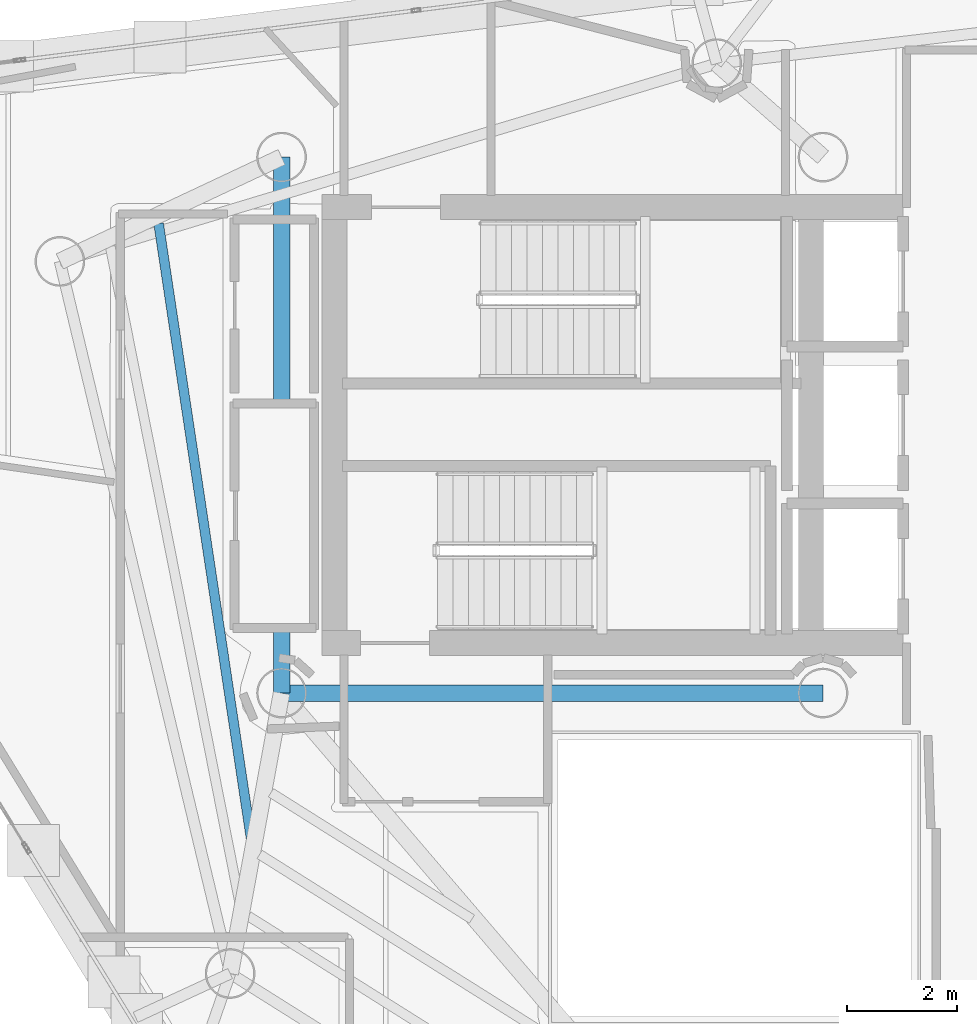
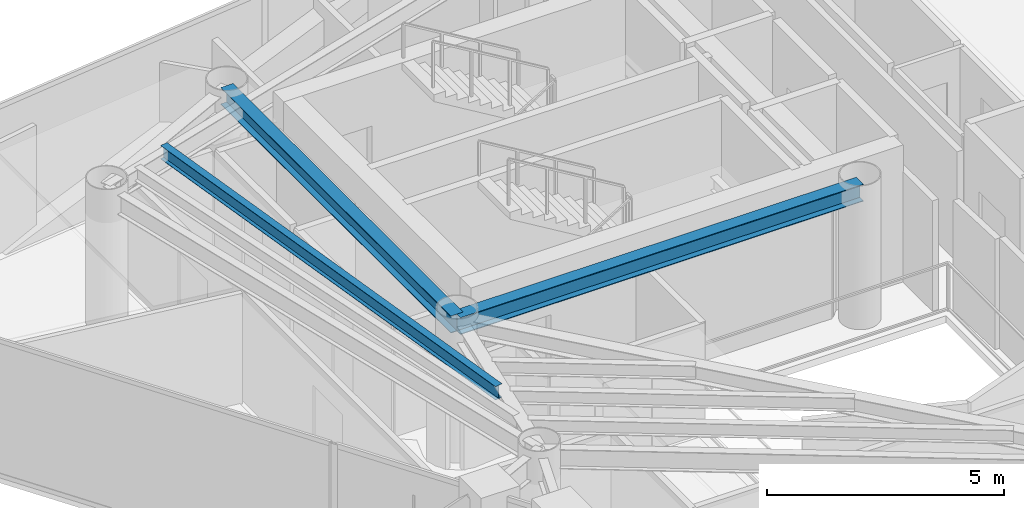
# One storey, part 9 of 23: 3 beams.
"""IFC4 building model written with IfcOpenShell, lengths in metres."""

from ifc_helpers import new_model, si_unit, direction, frame, origin, origin_2d, place, context, subcontext, project, spatial, i_section, extrude, material, material_profile, profile_set, type_object, element, save


model = new_model("IFC4")

# Units and contexts
model_context = context("Model", 3, precision=1e-05, world=origin(), true_north=direction((0.0, 1.0)))
body_context = subcontext(model_context, "Body", "Model", "MODEL_VIEW")
ifc_project = project(units=[si_unit("LENGTHUNIT", "METRE"), si_unit("AREAUNIT", "SQUARE_METRE"), si_unit("VOLUMEUNIT", "CUBIC_METRE"), si_unit("PLANEANGLEUNIT", "RADIAN"), si_unit("MASSUNIT", "GRAM", prefix="KILO")], contexts=[model_context])

# Site, building, storey
site_placement = place(None, origin())
site = spatial("IfcSite", under=ifc_project, at=site_placement, CompositionType="ELEMENT")
building_placement = place(site_placement, origin())
building = spatial("IfcBuilding", under=site, at=building_placement, Name="Qianvela Tower", CompositionType="ELEMENT")
storey_placement = place(building_placement, frame((0.0, 0.0, 284.300048828125)))
storey = spatial("IfcBuildingStorey", under=building, at=storey_placement, Name="L73", CompositionType="ELEMENT", Elevation=284.300048828125)

# Beams
ifc_material_1 = material(Name="Steel Q355B", Category="steel")
ifc_material_profile_1 = material_profile(ifc_material_1, i_section(OverallWidth=0.300048828125, OverallDepth=0.43994140625, WebThickness=0.010986328125, FlangeThickness=0.01806640625, at=origin_2d()), Name="HM440x300x11x18")
ifc_profile_set_1 = profile_set([ifc_material_profile_1], Name="Steel Q355B")
beam_type_1 = type_object("IfcBeamType", Name="BM-HM440-COLL", PredefinedType="BEAM", material=ifc_profile_set_1)
beam_1_placement = place(storey_placement, frame((28.60009765625, 23.85009765625, 3.2978515625), z_axis=(1.0, 0.0, 0.0), x_axis=(0.0, 1.0, 0.0)))
element("IfcBeam", 1, at=beam_1_placement, inside=storey, type_object=beam_type_1, Name="L73 Core Ring Collector Girder CC1", PredefinedType="BEAM", context=body_context, shape_type="SweptSolid", body=[
    extrude(i_section(OverallWidth=0.300048828125, OverallDepth=0.43994140625, WebThickness=0.010986328125, FlangeThickness=0.01806640625, at=origin_2d()), origin(), (0.0, 0.0, 1.0), 9.7998046875),
])
beam_2_placement = place(storey_placement, frame((28.60009765625, 33.550048828125, 3.2978515625), z_axis=(0.0, -1.0, 0.0), x_axis=(1.0, 0.0, 0.0)))
element("IfcBeam", 2, at=beam_2_placement, inside=storey, type_object=beam_type_1, Name="L73 Core Ring Collector Girder CC2", PredefinedType="BEAM", context=body_context, shape_type="SweptSolid", body=[
    extrude(i_section(OverallWidth=0.300048828125, OverallDepth=0.43994140625, WebThickness=0.010986328125, FlangeThickness=0.01806640625, at=origin_2d()), origin(), (0.0, 0.0, 1.0), 9.699951171875),
])
ifc_material_2 = material(Name="Steel Q355B", Category="steel")
ifc_material_profile_2 = material_profile(ifc_material_2, i_section(OverallWidth=0.175048828125, OverallDepth=0.35009765625, WebThickness=0.007080078125, FlangeThickness=0.010986328125, at=origin_2d()), Name="HN350x175x7x11")
ifc_profile_set_2 = profile_set([ifc_material_profile_2], Name="Steel Q355B")
beam_type_2 = type_object("IfcBeamType", Name="BM-HN350-JOIST", PredefinedType="JOIST", material=ifc_profile_set_2)
beam_3_placement = place(storey_placement, frame((26.37451171875, 32.348876953125, 3.343017578125), z_axis=(0.148647266964, -0.988890282096, 0.0), x_axis=(0.988890282096, 0.148647266964, 0.0)))
element("IfcBeam", 3, at=beam_3_placement, inside=storey, type_object=beam_type_2, Name="L73 Secondary Composite Floor Joist 3.2", PredefinedType="JOIST", context=body_context, shape_type="SweptSolid", body=[
    extrude(i_section(OverallWidth=0.175048828125, OverallDepth=0.35009765625, WebThickness=0.007080078125, FlangeThickness=0.010986328125, at=origin_2d()), origin(), (0.0, 0.0, 1.0), 11.32275390625),
])

save(model, "model.ifc")
